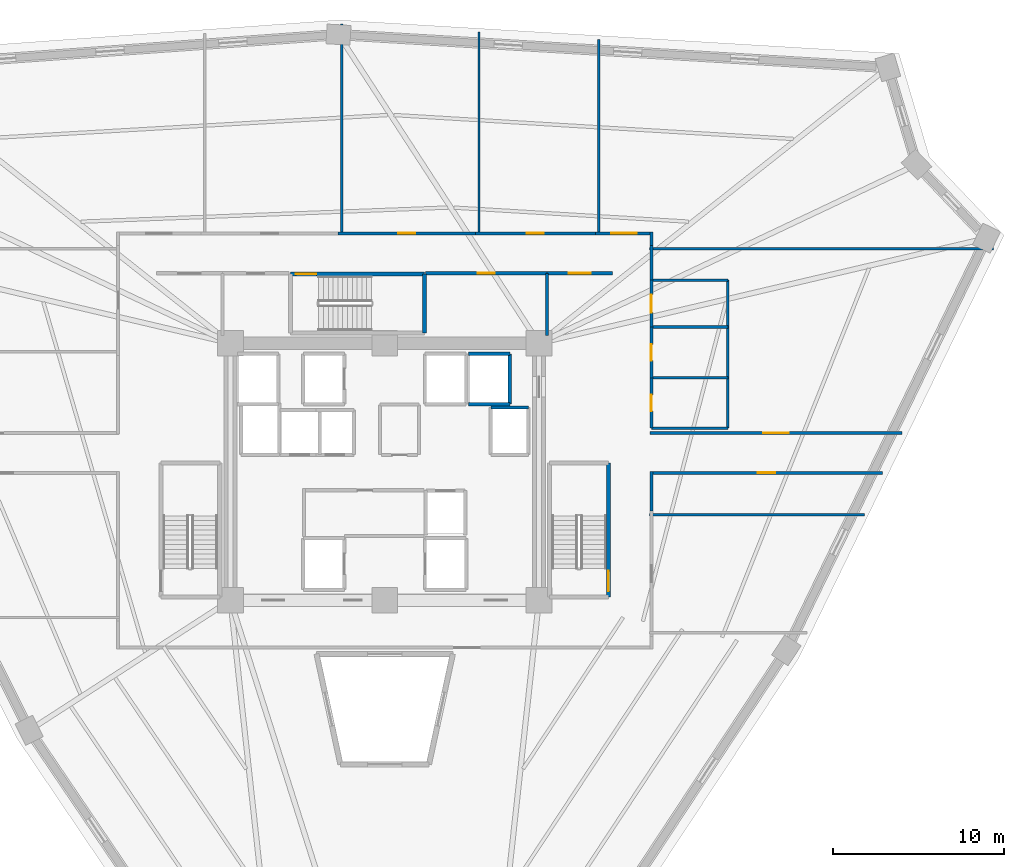
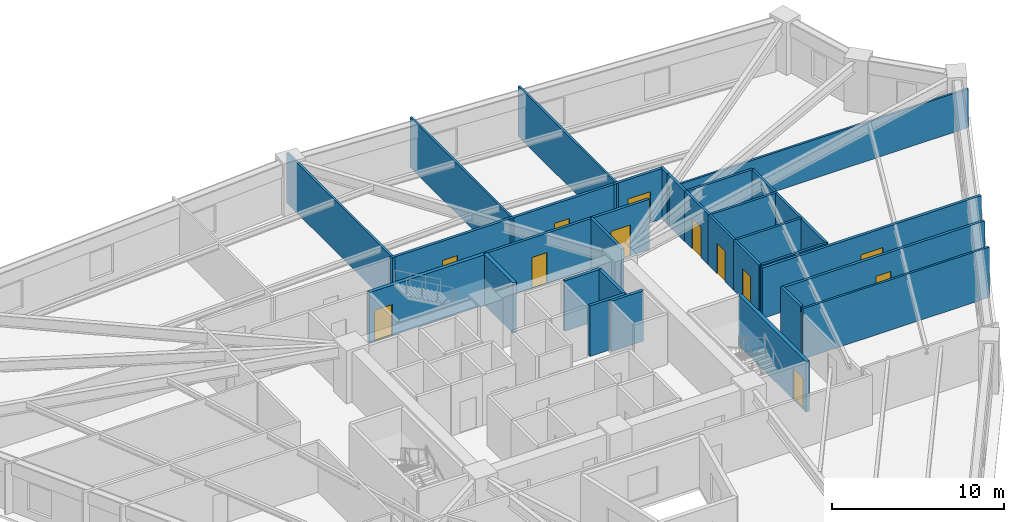
# One storey, part 6 of 8: 31 walls, 12 doors, 12 openings.
"""IFC4 building model written with IfcOpenShell, lengths in metres."""

from ifc_helpers import new_model, si_unit, direction, frame, frame_2d, origin, place, context, subcontext, project, spatial, rectangle, extrude, source, transform, mapped, material, layer, layer_set, type_object, element, fill, save


model = new_model("IFC4")

# Units and contexts
model_context = context("Model", 3, precision=1e-05, world=origin(), true_north=direction((0.0, 1.0)))
body_context = subcontext(model_context, "Body", "Model", "MODEL_VIEW")
ifc_project = project(units=[si_unit("LENGTHUNIT", "METRE"), si_unit("AREAUNIT", "SQUARE_METRE"), si_unit("VOLUMEUNIT", "CUBIC_METRE"), si_unit("PLANEANGLEUNIT", "RADIAN"), si_unit("MASSUNIT", "GRAM", prefix="KILO")], contexts=[model_context])

# Site, building, storey
site_placement = place(None, origin())
site = spatial("IfcSite", under=ifc_project, at=site_placement, CompositionType="ELEMENT")
building_placement = place(site_placement, origin())
building = spatial("IfcBuilding", under=site, at=building_placement, Name="Liaohun Quay Tower", CompositionType="ELEMENT")
storey_placement = place(building_placement, frame((0.0, 0.0, 155.25)))
storey = spatial("IfcBuildingStorey", under=building, at=storey_placement, Name="L40", CompositionType="ELEMENT", Elevation=155.25)

# Wall, opening, door
ifc_material_1 = material(Name="Autoclaved aerated concrete blockwork", Category="masonry")
ifc_layer_1 = layer(ifc_material_1, 0.179931640625, Name="Autoclaved aerated concrete blockwork", Category="masonry")
ifc_layer_set_1 = layer_set([ifc_layer_1], Name="Autoclaved aerated concrete blockwork")
wall_type_1 = type_object("IfcWallType", Name="WAL-PRT-COR", PredefinedType="PARTITIONING", material=ifc_layer_set_1)
wall_1_placement = place(storey_placement, frame((62.389892578125, 65.580078125, 0.0), z_axis=(0.0, 0.0, 1.0), x_axis=(1.0, 0.0, 0.0)))
wall_1 = element("IfcWall", 1, at=wall_1_placement, inside=storey, type_object=wall_type_1, Name="L40 Interior Partition Wall 007", PredefinedType="PARTITIONING", context=body_context, shape_type="SweptSolid", body=[
    extrude(rectangle(XDim=7.070068359375, YDim=0.179931640625, at=frame_2d((3.53515625, 0.0))), origin(), (0.0, 0.0, 1.0), 3.570068359375),
])
shared_shape_1 = source(origin(), body_context, "Body", "SweptSolid", [
    extrude(rectangle(XDim=1.0, YDim=2.199951171875, at=frame_2d((0.5, 1.10009765625))), frame((0.0, 0.099853515625, 0.0), z_axis=(0.0, -1.0, 0.0), x_axis=(1.0, 0.0, 0.0)), (0.0, 0.0, 1.0), 0.199951171875),
])
opening_1_placement = place(wall_1_placement, frame((3.034912109375, 0.0, 0.0)))
opening_1 = element("IfcOpeningElement", 2, at=opening_1_placement, cuts=wall_1, Name="Opening OD1", PredefinedType="OPENING", context=body_context, shape_type="MappedRepresentation", body=[
    mapped(shared_shape_1, transform((0.0, 0.0, 0.0), x_axis=(1.0, 0.0, 0.0), y_axis=(0.0, 1.0, 0.0), z_axis=(0.0, 0.0, 1.0), scale=1.0)),
])
ifc_material_2 = material(Name="Solid-core oak veneer timber leaf in steel frame", Category="steel")
door_type_1 = type_object("IfcDoorType", Name="DOR-OFF-1000", OperationType="NOTDEFINED", PredefinedType="DOOR", material=ifc_material_2)
shared_shape_2 = source(origin(), body_context, "Body", "SweptSolid", [
    extrude(rectangle(XDim=1.0, YDim=2.199951171875, at=frame_2d((0.5, 1.10009765625))), frame((0.0, 0.02490234375, 0.0), z_axis=(0.0, -1.0, 0.0), x_axis=(1.0, 0.0, 0.0)), (0.0, 0.0, 1.0), 0.050048828125),
])
door_1_placement = place(opening_1_placement, origin())
door_1 = element("IfcDoor", 3, at=door_1_placement, inside=storey, type_object=door_type_1, Name="L40 North-East Archive and Mail Room Door", OperationType="SINGLE_SWING_LEFT", OverallHeight=2.199951171875, OverallWidth=1.0, PredefinedType="DOOR", context=body_context, shape_type="MappedRepresentation", body=[
    mapped(shared_shape_2, transform((0.0, 0.0, 0.0), x_axis=(1.0, 0.0, 0.0), y_axis=(0.0, 1.0, 0.0), z_axis=(0.0, 0.0, 1.0), scale=1.0)),
])
fill(opening_1, door_1)

wall_2_placement = place(storey_placement, frame((69.4599609375, 65.580078125, 0.0), z_axis=(0.0, 0.0, 1.0), x_axis=(1.0, 0.0, 0.0)))
wall_2 = element("IfcWall", 4, at=wall_2_placement, inside=storey, type_object=wall_type_1, Name="L40 Interior Partition Wall 009", PredefinedType="PARTITIONING", context=body_context, shape_type="SweptSolid", body=[
    extrude(rectangle(XDim=3.840087890625, YDim=0.179931640625, at=frame_2d((1.919921875, 0.0))), origin(), (0.0, 0.0, 1.0), 3.570068359375),
])
shared_shape_3 = source(origin(), body_context, "Body", "SweptSolid", [
    extrude(rectangle(XDim=1.300048828125, YDim=2.199951171875, at=frame_2d((0.64990234375, 1.10009765625))), frame((0.0, 0.099853515625, 0.0), z_axis=(0.0, -1.0, 0.0), x_axis=(1.0, 0.0, 0.0)), (0.0, 0.0, 1.0), 0.199951171875),
])
opening_2_placement = place(wall_2_placement, frame((1.27001953125, 0.0, 0.0)))
opening_2 = element("IfcOpeningElement", 5, at=opening_2_placement, cuts=wall_2, Name="Opening FD1", PredefinedType="OPENING", context=body_context, shape_type="MappedRepresentation", body=[
    mapped(shared_shape_3, transform((0.0, 0.0, 0.0), x_axis=(1.0, 0.0, 0.0), y_axis=(0.0, 1.0, 0.0), z_axis=(0.0, 0.0, 1.0), scale=1.0)),
])
ifc_material_3 = material(Name="Galvanised steel smokeproof fire door", Category="steel")
door_type_2 = type_object("IfcDoorType", Name="DOR-FFL-1300", OperationType="NOTDEFINED", PredefinedType="DOOR", material=ifc_material_3)
shared_shape_4 = source(origin(), body_context, "Body", "SweptSolid", [
    extrude(rectangle(XDim=1.300048828125, YDim=2.199951171875, at=frame_2d((0.64990234375, 1.10009765625))), frame((0.0, 0.02490234375, 0.0), z_axis=(0.0, -1.0, 0.0), x_axis=(1.0, 0.0, 0.0)), (0.0, 0.0, 1.0), 0.050048828125),
])
door_2_placement = place(opening_2_placement, origin())
door_2 = element("IfcDoor", 6, at=door_2_placement, inside=storey, type_object=door_type_2, Name="L40 East Core Vestibule Door", OperationType="SINGLE_SWING_LEFT", OverallHeight=2.199951171875, OverallWidth=1.300048828125, PredefinedType="DOOR", context=body_context, shape_type="MappedRepresentation", body=[
    mapped(shared_shape_4, transform((0.0, 0.0, 0.0), x_axis=(1.0, 0.0, 0.0), y_axis=(0.0, 1.0, 0.0), z_axis=(0.0, 0.0, 1.0), scale=1.0)),
])
fill(opening_2, door_2)

wall_3_placement = place(storey_placement, frame((75.489990234375, 56.260009765625, 0.0), z_axis=(0.0, 0.0, 1.0), x_axis=(1.0, 0.0, 0.0)))
wall_3 = element("IfcWall", 7, at=wall_3_placement, inside=storey, type_object=wall_type_1, Name="L40 Interior Partition Wall 010", PredefinedType="PARTITIONING", context=body_context, shape_type="SweptSolid", body=[
    extrude(rectangle(XDim=14.694091796875, YDim=0.179931640625, at=frame_2d((7.34716796875, 0.0))), origin(), (0.0, 0.0, 1.0), 3.570068359375),
])
shared_shape_5 = source(origin(), body_context, "Body", "SweptSolid", [
    extrude(rectangle(XDim=1.5, YDim=2.199951171875, at=frame_2d((0.75, 1.10009765625))), frame((0.0, 0.099853515625, 0.0), z_axis=(0.0, -1.0, 0.0), x_axis=(1.0, 0.0, 0.0)), (0.0, 0.0, 1.0), 0.199951171875),
])
opening_3_placement = place(wall_3_placement, frame((6.596923828125, 0.0, 0.0)))
opening_3 = element("IfcOpeningElement", 8, at=opening_3_placement, cuts=wall_3, Name="Opening OD2", PredefinedType="OPENING", context=body_context, shape_type="MappedRepresentation", body=[
    mapped(shared_shape_5, transform((0.0, 0.0, 0.0), x_axis=(1.0, 0.0, 0.0), y_axis=(0.0, 1.0, 0.0), z_axis=(0.0, 0.0, 1.0), scale=1.0)),
])
ifc_material_4 = material(Name="Acoustic oak veneer double door")
door_type_3 = type_object("IfcDoorType", Name="DOR-OFF-1500", OperationType="DOUBLE_DOOR_SINGLE_SWING", PredefinedType="DOOR", material=ifc_material_4)
shared_shape_6 = source(origin(), body_context, "Body", "SweptSolid", [
    extrude(rectangle(XDim=1.5, YDim=2.199951171875, at=frame_2d((0.75, 1.10009765625))), frame((0.0, 0.02490234375, 0.0), z_axis=(0.0, -1.0, 0.0), x_axis=(1.0, 0.0, 0.0)), (0.0, 0.0, 1.0), 0.050048828125),
])
door_3_placement = place(opening_3_placement, origin())
door_3 = element("IfcDoor", 9, at=door_3_placement, inside=storey, type_object=door_type_3, Name="L40 Technical Reference Library 01 Door", OperationType="DOUBLE_DOOR_SINGLE_SWING", OverallHeight=2.199951171875, OverallWidth=1.5, PredefinedType="DOOR", context=body_context, shape_type="MappedRepresentation", body=[
    mapped(shared_shape_6, transform((0.0, 0.0, 0.0), x_axis=(1.0, 0.0, 0.0), y_axis=(0.0, 1.0, 0.0), z_axis=(0.0, 0.0, 1.0), scale=1.0)),
])
fill(opening_3, door_3)

wall_4_placement = place(storey_placement, frame((72.284912109375, 67.909912109375, 0.0), z_axis=(0.0, 0.0, 1.0), x_axis=(1.0, 0.0, 0.0)))
wall_4 = element("IfcWall", 10, at=wall_4_placement, inside=storey, type_object=wall_type_1, Name="L40 Interior Partition Wall 011", PredefinedType="PARTITIONING", context=body_context, shape_type="SweptSolid", body=[
    extrude(rectangle(XDim=3.344970703125, YDim=0.179931640625, at=frame_2d((1.67236328125, 0.0))), origin(), (0.0, 0.0, 1.0), 3.570068359375),
])
opening_4_placement = place(wall_4_placement, frame((0.922119140625, 0.0, 0.0)))
opening_4 = element("IfcOpeningElement", 11, at=opening_4_placement, cuts=wall_4, Name="Opening OD2", PredefinedType="OPENING", context=body_context, shape_type="MappedRepresentation", body=[
    mapped(shared_shape_5, transform((0.0, 0.0, 0.0), x_axis=(1.0, 0.0, 0.0), y_axis=(0.0, 1.0, 0.0), z_axis=(0.0, 0.0, 1.0), scale=1.0)),
])
door_4_placement = place(opening_4_placement, origin())
door_4 = element("IfcDoor", 12, at=door_4_placement, inside=storey, type_object=door_type_3, Name="L40 Client Collaboration Lounge 02 Door", OperationType="DOUBLE_DOOR_SINGLE_SWING", OverallHeight=2.199951171875, OverallWidth=1.5, PredefinedType="DOOR", context=body_context, shape_type="MappedRepresentation", body=[
    mapped(shared_shape_6, transform((0.0, 0.0, 0.0), x_axis=(1.0, 0.0, 0.0), y_axis=(0.0, 1.0, 0.0), z_axis=(0.0, 0.0, 1.0), scale=1.0)),
])
fill(opening_4, door_4)

wall_5_placement = place(storey_placement, frame((65.284912109375, 67.909912109375, 0.0), z_axis=(0.0, 0.0, 1.0), x_axis=(1.0, 0.0, 0.0)))
wall_5 = element("IfcWall", 13, at=wall_5_placement, inside=storey, type_object=wall_type_1, Name="L40 Interior Partition Wall 012", PredefinedType="PARTITIONING", context=body_context, shape_type="SweptSolid", body=[
    extrude(rectangle(XDim=7.0, YDim=0.179931640625, at=frame_2d((3.5, 0.0))), origin(), (0.0, 0.0, 1.0), 3.570068359375),
])
opening_5_placement = place(wall_5_placement, frame((3.0, 0.0, 0.0)))
opening_5 = element("IfcOpeningElement", 14, at=opening_5_placement, cuts=wall_5, Name="Opening OD1", PredefinedType="OPENING", context=body_context, shape_type="MappedRepresentation", body=[
    mapped(shared_shape_1, transform((0.0, 0.0, 0.0), x_axis=(1.0, 0.0, 0.0), y_axis=(0.0, 1.0, 0.0), z_axis=(0.0, 0.0, 1.0), scale=1.0)),
])
door_5_placement = place(opening_5_placement, origin())
door_5 = element("IfcDoor", 15, at=door_5_placement, inside=storey, type_object=door_type_1, Name="L40 Technical Reference Library 03 Door", OperationType="SINGLE_SWING_RIGHT", OverallHeight=2.199951171875, OverallWidth=1.0, PredefinedType="DOOR", context=body_context, shape_type="MappedRepresentation", body=[
    mapped(shared_shape_2, transform((0.0, 0.0, 0.0), x_axis=(1.0, 0.0, 0.0), y_axis=(0.0, 1.0, 0.0), z_axis=(0.0, 0.0, 1.0), scale=1.0)),
])
fill(opening_5, door_5)

wall_6_placement = place(storey_placement, frame((57.284912109375, 67.909912109375, 0.0), z_axis=(0.0, 0.0, 1.0), x_axis=(1.0, 0.0, 0.0)))
wall_6 = element("IfcWall", 16, at=wall_6_placement, inside=storey, type_object=wall_type_1, Name="L40 Interior Partition Wall 013", PredefinedType="PARTITIONING", context=body_context, shape_type="SweptSolid", body=[
    extrude(rectangle(XDim=8.0, YDim=0.179931640625, at=frame_2d((4.0, 0.0))), origin(), (0.0, 0.0, 1.0), 3.570068359375),
])
opening_6_placement = place(wall_6_placement, frame((3.5, 0.0, 0.0)))
opening_6 = element("IfcOpeningElement", 17, at=opening_6_placement, cuts=wall_6, Name="Opening OD1", PredefinedType="OPENING", context=body_context, shape_type="MappedRepresentation", body=[
    mapped(shared_shape_1, transform((0.0, 0.0, 0.0), x_axis=(1.0, 0.0, 0.0), y_axis=(0.0, 1.0, 0.0), z_axis=(0.0, 0.0, 1.0), scale=1.0)),
])
door_6_placement = place(opening_6_placement, origin())
door_6 = element("IfcDoor", 18, at=door_6_placement, inside=storey, type_object=door_type_1, Name="L40 Project Collaboration Studio 04 Door", OperationType="SINGLE_SWING_LEFT", OverallHeight=2.199951171875, OverallWidth=1.0, PredefinedType="DOOR", context=body_context, shape_type="MappedRepresentation", body=[
    mapped(shared_shape_2, transform((0.0, 0.0, 0.0), x_axis=(1.0, 0.0, 0.0), y_axis=(0.0, 1.0, 0.0), z_axis=(0.0, 0.0, 1.0), scale=1.0)),
])
fill(opening_6, door_6)

wall_7_placement = place(storey_placement, frame((89.05810546875, 53.93994140625, 0.0), z_axis=(0.0, 0.0, 1.0), x_axis=(-1.0, 0.0, 0.0)))
wall_7 = element("IfcWall", 19, at=wall_7_placement, inside=storey, type_object=wall_type_1, Name="L40 Interior Partition Wall 021", PredefinedType="PARTITIONING", context=body_context, shape_type="SweptSolid", body=[
    extrude(rectangle(XDim=13.568115234375, YDim=0.179931640625, at=frame_2d((6.7841796875, 0.0))), origin(), (0.0, 0.0, 1.0), 3.570068359375),
])
opening_7_placement = place(wall_7_placement, frame((6.283935546875, 0.0, 0.0)))
opening_7 = element("IfcOpeningElement", 20, at=opening_7_placement, cuts=wall_7, Name="Opening OD1", PredefinedType="OPENING", context=body_context, shape_type="MappedRepresentation", body=[
    mapped(shared_shape_1, transform((0.0, 0.0, 0.0), x_axis=(1.0, 0.0, 0.0), y_axis=(0.0, 1.0, 0.0), z_axis=(0.0, 0.0, 1.0), scale=1.0)),
])
door_7_placement = place(opening_7_placement, origin())
door_7 = element("IfcDoor", 21, at=door_7_placement, inside=storey, type_object=door_type_1, Name="L40 Client Reception Office 12 Door", OperationType="SINGLE_SWING_LEFT", OverallHeight=2.199951171875, OverallWidth=1.0, PredefinedType="DOOR", context=body_context, shape_type="MappedRepresentation", body=[
    mapped(shared_shape_2, transform((0.0, 0.0, 0.0), x_axis=(1.0, 0.0, 0.0), y_axis=(0.0, 1.0, 0.0), z_axis=(0.0, 0.0, 1.0), scale=1.0)),
])
fill(opening_7, door_7)

# Walls
wall_8_placement = place(storey_placement, frame((69.4599609375, 61.949951171875, 0.0), z_axis=(0.0, 0.0, 1.0), x_axis=(0.0, 1.0, 0.0)))
element("IfcWall", 22, at=wall_8_placement, inside=storey, type_object=wall_type_1, Name="L40 Interior Partition Wall 031", PredefinedType="PARTITIONING", context=body_context, shape_type="SweptSolid", body=[
    extrude(rectangle(XDim=3.630126953125, YDim=0.179931640625, at=frame_2d((1.81494140625, 0.0))), origin(), (0.0, 0.0, 1.0), 3.570068359375),
])
wall_9_placement = place(storey_placement, frame((75.56005859375, 67.215087890625, 0.0), z_axis=(0.0, 0.0, 1.0), x_axis=(0.0, -1.0, 0.0)))
element("IfcWall", 23, at=wall_9_placement, inside=storey, type_object=wall_type_1, Name="L40 Interior Partition Wall 032", PredefinedType="PARTITIONING", context=body_context, shape_type="SweptSolid", body=[
    extrude(rectangle(XDim=2.03515625, YDim=0.179931640625, at=frame_2d((1.017578125, 0.0))), origin(), (0.0, 0.0, 1.0), 3.570068359375),
])
wall_10_placement = place(storey_placement, frame((75.56005859375, 67.97998046875, 0.0), z_axis=(0.0, 0.0, 1.0), x_axis=(0.0, -1.0, 0.0)))
element("IfcWall", 24, at=wall_10_placement, inside=storey, type_object=wall_type_1, Name="L40 Interior Partition Wall 033", PredefinedType="PARTITIONING", context=body_context, shape_type="SweptSolid", body=[
    extrude(rectangle(XDim=0.764892578125, YDim=0.179931640625, at=frame_2d((0.38232421875, 0.0))), origin(), (0.0, 0.0, 1.0), 3.570068359375),
])
wall_11_placement = place(storey_placement, frame((75.56005859375, 54.010009765625, 0.0), z_axis=(0.0, 0.0, 1.0), x_axis=(0.0, -1.0, 0.0)))
element("IfcWall", 25, at=wall_11_placement, inside=storey, type_object=wall_type_1, Name="L40 Interior Partition Wall 039", PredefinedType="PARTITIONING", context=body_context, shape_type="SweptSolid", body=[
    extrude(rectangle(XDim=2.294921875, YDim=0.179931640625, at=frame_2d((1.1474609375, 0.0))), origin(), (0.0, 0.0, 1.0), 3.570068359375),
])
ifc_material_5 = material(Name="Gypsum board on twin steel studs", Category="steel")
ifc_layer_2 = layer(ifc_material_5, 0.139892578125, Name="Gypsum board on twin steel studs", Category="steel")
ifc_layer_set_2 = layer_set([ifc_layer_2], Name="Gypsum board on twin steel studs")
wall_type_2 = type_object("IfcWallType", Name="WAL-PRT-OFF", PredefinedType="PARTITIONING", material=ifc_layer_set_2)
wall_12_placement = place(storey_placement, frame((75.4599609375, 51.5, 0.0), z_axis=(0.0, 0.0, 1.0), x_axis=(1.0, 0.0, 0.0)))
element("IfcWall", 26, at=wall_12_placement, inside=storey, type_object=wall_type_2, Name="L40 Interior Partition Wall 044", PredefinedType="PARTITIONING", context=body_context, shape_type="SweptSolid", body=[
    extrude(rectangle(XDim=12.52099609375, YDim=0.139892578125, at=frame_2d((6.260498046875, 0.0))), origin(), (0.0, 0.0, 1.0), 3.570068359375),
])
wall_13_placement = place(storey_placement, frame((75.4599609375, 67.0, 0.0), z_axis=(0.0, 0.0, 1.0), x_axis=(1.0, 0.0, 0.0)))
element("IfcWall", 27, at=wall_13_placement, inside=storey, type_object=wall_type_2, Name="L40 Interior Partition Wall 045", PredefinedType="PARTITIONING", context=body_context, shape_type="SweptSolid", body=[
    extrude(rectangle(XDim=20.046142578125, YDim=0.139892578125, at=frame_2d((10.02294921875, 0.0))), origin(), (0.0, 0.0, 1.0), 2.7548828125),
])
wall_14_placement = place(storey_placement, frame((57.5, 67.81005859375, 0.0), z_axis=(0.0, 0.0, 1.0), x_axis=(0.0, 1.0, 0.0)))
element("IfcWall", 28, at=wall_14_placement, inside=storey, type_object=wall_type_2, Name="L40 Interior Partition Wall 047", PredefinedType="PARTITIONING", context=body_context, shape_type="SweptSolid", body=[
    extrude(rectangle(XDim=12.31494140625, YDim=0.139892578125, at=frame_2d((6.157470703125, 0.0))), origin(), (0.0, 0.0, 1.0), 3.570068359375),
])
wall_15_placement = place(storey_placement, frame((65.5, 67.81005859375, 0.0), z_axis=(0.0, 0.0, 1.0), x_axis=(0.0, 1.0, 0.0)))
element("IfcWall", 29, at=wall_15_placement, inside=storey, type_object=wall_type_2, Name="L40 Interior Partition Wall 048", PredefinedType="PARTITIONING", context=body_context, shape_type="SweptSolid", body=[
    extrude(rectangle(XDim=11.8349609375, YDim=0.139892578125, at=frame_2d((5.91748046875, 0.0))), origin(), (0.0, 0.0, 1.0), 3.570068359375),
])
wall_16_placement = place(storey_placement, frame((72.5, 67.81005859375, 0.0), z_axis=(0.0, 0.0, 1.0), x_axis=(0.0, 1.0, 0.0)))
element("IfcWall", 30, at=wall_16_placement, inside=storey, type_object=wall_type_2, Name="L40 Interior Partition Wall 049", PredefinedType="PARTITIONING", context=body_context, shape_type="SweptSolid", body=[
    extrude(rectangle(XDim=11.416015625, YDim=0.139892578125, at=frame_2d((5.7080078125, 0.0))), origin(), (0.0, 0.0, 1.0), 3.570068359375),
])

# Wall, opening, door
ifc_material_6 = material(Name="Moisture-resistant masonry blockwork", Category="masonry")
ifc_layer_3 = layer(ifc_material_6, 0.159912109375, Name="Moisture-resistant masonry blockwork", Category="masonry")
ifc_layer_set_3 = layer_set([ifc_layer_3], Name="Moisture-resistant masonry blockwork")
wall_type_3 = type_object("IfcWallType", Name="WAL-PRT-WET", PredefinedType="PARTITIONING", material=ifc_layer_set_3)
wall_17_placement = place(storey_placement, frame((75.56005859375, 56.5400390625, 0.0), z_axis=(0.0, 0.0, 1.0), x_axis=(0.0, 1.0, 0.0)))
wall_17 = element("IfcWall", 31, at=wall_17_placement, inside=storey, type_object=wall_type_3, Name="L40 Interior Partition Wall 003", PredefinedType="PARTITIONING", context=body_context, shape_type="SweptSolid", body=[
    extrude(rectangle(XDim=2.93994140625, YDim=0.159912109375, at=frame_2d((1.469970703125, 0.0))), origin(), (0.0, 0.0, 1.0), 3.570068359375),
])
shared_shape_7 = source(origin(), body_context, "Body", "SweptSolid", [
    extrude(rectangle(XDim=0.949951171875, YDim=2.14990234375, at=frame_2d((0.47509765625, 1.074951171875))), frame((0.0, 0.08984375, 0.0), z_axis=(0.0, -1.0, 0.0), x_axis=(1.0, 0.0, 0.0)), (0.0, 0.0, 1.0), 0.179931640625),
])
opening_8_placement = place(wall_17_placement, frame((0.9951171875, 0.0, 0.0)))
opening_8 = element("IfcOpeningElement", 32, at=opening_8_placement, cuts=wall_17, Name="Opening WD1", PredefinedType="OPENING", context=body_context, shape_type="MappedRepresentation", body=[
    mapped(shared_shape_7, transform((0.0, 0.0, 0.0), x_axis=(1.0, 0.0, 0.0), y_axis=(0.0, 1.0, 0.0), z_axis=(0.0, 0.0, 1.0), scale=1.0)),
])
ifc_material_7 = material(Name="Moisture-resistant laminate timber leaf", Category="wood")
door_type_4 = type_object("IfcDoorType", Name="DOR-WC-950", OperationType="NOTDEFINED", PredefinedType="DOOR", material=ifc_material_7)
shared_shape_8 = source(origin(), body_context, "Body", "SweptSolid", [
    extrude(rectangle(XDim=0.949951171875, YDim=2.14990234375, at=frame_2d((0.47509765625, 1.074951171875))), frame((0.0, 0.02490234375, 0.0), z_axis=(0.0, -1.0, 0.0), x_axis=(1.0, 0.0, 0.0)), (0.0, 0.0, 1.0), 0.050048828125),
])
door_8_placement = place(opening_8_placement, origin())
door_8 = element("IfcDoor", 33, at=door_8_placement, inside=storey, type_object=door_type_4, Name="L40 Male Restroom WC Door", OperationType="SINGLE_SWING_LEFT", OverallHeight=2.14990234375, OverallWidth=0.949951171875, PredefinedType="DOOR", context=body_context, shape_type="MappedRepresentation", body=[
    mapped(shared_shape_8, transform((0.0, 0.0, 0.0), x_axis=(1.0, 0.0, 0.0), y_axis=(0.0, 1.0, 0.0), z_axis=(0.0, 0.0, 1.0), scale=1.0)),
])
fill(opening_8, door_8)

wall_18_placement = place(storey_placement, frame((75.56005859375, 59.47998046875, 0.0), z_axis=(0.0, 0.0, 1.0), x_axis=(0.0, 1.0, 0.0)))
wall_18 = element("IfcWall", 34, at=wall_18_placement, inside=storey, type_object=wall_type_3, Name="L40 Interior Partition Wall 004", PredefinedType="PARTITIONING", context=body_context, shape_type="SweptSolid", body=[
    extrude(rectangle(XDim=2.9599609375, YDim=0.159912109375, at=frame_2d((1.47998046875, 0.0))), origin(), (0.0, 0.0, 1.0), 3.570068359375),
])
opening_9_placement = place(wall_18_placement, frame((1.0048828125, 0.0, 0.0)))
opening_9 = element("IfcOpeningElement", 35, at=opening_9_placement, cuts=wall_18, Name="Opening WD1", PredefinedType="OPENING", context=body_context, shape_type="MappedRepresentation", body=[
    mapped(shared_shape_7, transform((0.0, 0.0, 0.0), x_axis=(1.0, 0.0, 0.0), y_axis=(0.0, 1.0, 0.0), z_axis=(0.0, 0.0, 1.0), scale=1.0)),
])
door_9_placement = place(opening_9_placement, origin())
door_9 = element("IfcDoor", 36, at=door_9_placement, inside=storey, type_object=door_type_4, Name="L40 Female Restroom WC Door", OperationType="SINGLE_SWING_RIGHT", OverallHeight=2.14990234375, OverallWidth=0.949951171875, PredefinedType="DOOR", context=body_context, shape_type="MappedRepresentation", body=[
    mapped(shared_shape_8, transform((0.0, 0.0, 0.0), x_axis=(1.0, 0.0, 0.0), y_axis=(0.0, 1.0, 0.0), z_axis=(0.0, 0.0, 1.0), scale=1.0)),
])
fill(opening_9, door_9)

wall_19_placement = place(storey_placement, frame((75.56005859375, 62.43994140625, 0.0), z_axis=(0.0, 0.0, 1.0), x_axis=(0.0, 1.0, 0.0)))
wall_19 = element("IfcWall", 37, at=wall_19_placement, inside=storey, type_object=wall_type_3, Name="L40 Interior Partition Wall 005", PredefinedType="PARTITIONING", context=body_context, shape_type="SweptSolid", body=[
    extrude(rectangle(XDim=2.739990234375, YDim=0.159912109375, at=frame_2d((1.3701171875, 0.0))), origin(), (0.0, 0.0, 1.0), 3.570068359375),
])
shared_shape_9 = source(origin(), body_context, "Body", "SweptSolid", [
    extrude(rectangle(XDim=1.050048828125, YDim=2.14990234375, at=frame_2d((0.52490234375, 1.074951171875))), frame((0.0, 0.08984375, 0.0), z_axis=(0.0, -1.0, 0.0), x_axis=(1.0, 0.0, 0.0)), (0.0, 0.0, 1.0), 0.179931640625),
])
opening_10_placement = place(wall_19_placement, frame((0.844970703125, 0.0, 0.0)))
opening_10 = element("IfcOpeningElement", 38, at=opening_10_placement, cuts=wall_19, Name="Opening WD2", PredefinedType="OPENING", context=body_context, shape_type="MappedRepresentation", body=[
    mapped(shared_shape_9, transform((0.0, 0.0, 0.0), x_axis=(1.0, 0.0, 0.0), y_axis=(0.0, 1.0, 0.0), z_axis=(0.0, 0.0, 1.0), scale=1.0)),
])
ifc_material_8 = material(Name="Accessible outward-swinging laminate door")
door_type_5 = type_object("IfcDoorType", Name="DOR-AWC-1050", OperationType="NOTDEFINED", PredefinedType="DOOR", material=ifc_material_8)
shared_shape_10 = source(origin(), body_context, "Body", "SweptSolid", [
    extrude(rectangle(XDim=1.050048828125, YDim=2.14990234375, at=frame_2d((0.52490234375, 1.074951171875))), frame((0.0, 0.02490234375, 0.0), z_axis=(0.0, -1.0, 0.0), x_axis=(1.0, 0.0, 0.0)), (0.0, 0.0, 1.0), 0.050048828125),
])
door_10_placement = place(opening_10_placement, origin())
door_10 = element("IfcDoor", 39, at=door_10_placement, inside=storey, type_object=door_type_5, Name="L40 Accessible WC Door", OperationType="SINGLE_SWING_LEFT", OverallHeight=2.14990234375, OverallWidth=1.050048828125, PredefinedType="DOOR", context=body_context, shape_type="MappedRepresentation", body=[
    mapped(shared_shape_10, transform((0.0, 0.0, 0.0), x_axis=(1.0, 0.0, 0.0), y_axis=(0.0, 1.0, 0.0), z_axis=(0.0, 0.0, 1.0), scale=1.0)),
])
fill(opening_10, door_10)

# Walls
wall_20_placement = place(storey_placement, frame((80.02001953125, 56.5400390625, 0.0), z_axis=(0.0, 0.0, 1.0), x_axis=(0.0, 1.0, 0.0)))
element("IfcWall", 40, at=wall_20_placement, inside=storey, type_object=wall_type_3, Name="L40 Interior Partition Wall 025", PredefinedType="PARTITIONING", context=body_context, shape_type="SweptSolid", body=[
    extrude(rectangle(XDim=8.639892578125, YDim=0.159912109375, at=frame_2d((4.31982421875, 0.0))), origin(), (0.0, 0.0, 1.0), 3.570068359375),
])
for number, where, z_axis, x_axis, name in (
    (41, (75.56005859375, 56.5400390625, 0.0), (0.0, 0.0, 1.0), (1.0, 0.0, 0.0), "L40 Interior Partition Wall 026"),
    (42, (75.56005859375, 59.47998046875, 0.0), (0.0, 0.0, 1.0), (1.0, 0.0, 0.0), "L40 Interior Partition Wall 027"),
    (43, (75.56005859375, 62.43994140625, 0.0), (0.0, 0.0, 1.0), (1.0, 0.0, 0.0), "L40 Interior Partition Wall 028"),
    (44, (75.56005859375, 65.179931640625, 0.0), (0.0, 0.0, 1.0), (1.0, 0.0, 0.0), "L40 Interior Partition Wall 029"),
):
    element("IfcWall", number, at=place(storey_placement, frame(where, z_axis=z_axis, x_axis=x_axis)), inside=storey, type_object=wall_type_3, Name=name, PredefinedType="PARTITIONING", context=body_context, shape_type="SweptSolid", body=[
        extrude(rectangle(XDim=4.4599609375, YDim=0.159912109375, at=frame_2d((2.22998046875, 0.0))), origin(), (0.0, 0.0, 1.0), 3.570068359375),
    ])

# Wall, opening, door
ifc_material_9 = material(Name="Concrete C50", Category="concrete")
ifc_layer_4 = layer(ifc_material_9, 0.239990234375, Name="Concrete C50", Category="concrete")
ifc_layer_set_4 = layer_set([ifc_layer_4], Name="Concrete C50")
wall_type_4 = type_object("IfcWallType", Name="WAL-SHF-200", PredefinedType="SOLIDWALL", material=ifc_layer_set_4)
wall_21_placement = place(storey_placement, frame((73.06005859375, 46.699951171875, 0.0), z_axis=(0.0, 0.0, 1.0), x_axis=(0.0, 1.0, 0.0)))
wall_21 = element("IfcWall", 45, at=wall_21_placement, inside=storey, type_object=wall_type_4, Name="L40 Stairwell ST-2 Structural Core Wall E", PredefinedType="SOLIDWALL", context=body_context, shape_type="SweptSolid", body=[
    extrude(rectangle(XDim=7.820068359375, YDim=0.239990234375, at=frame_2d((3.91015625, 0.0))), origin(), (0.0, 0.0, 1.0), 3.570068359375),
])
shared_shape_11 = source(origin(), body_context, "Body", "SweptSolid", [
    extrude(rectangle(XDim=1.199951171875, YDim=2.199951171875, at=frame_2d((0.60009765625, 1.10009765625))), frame((0.0, 0.1298828125, 0.0), z_axis=(0.0, -1.0, 0.0), x_axis=(1.0, 0.0, 0.0)), (0.0, 0.0, 1.0), 0.260009765625),
])
opening_11_placement = place(wall_21_placement, frame((0.320068359375, 0.0, 0.0)))
opening_11 = element("IfcOpeningElement", 46, at=opening_11_placement, cuts=wall_21, Name="Opening SD1", PredefinedType="OPENING", context=body_context, shape_type="MappedRepresentation", body=[
    mapped(shared_shape_11, transform((0.0, 0.0, 0.0), x_axis=(1.0, 0.0, 0.0), y_axis=(0.0, 1.0, 0.0), z_axis=(0.0, 0.0, 1.0), scale=1.0)),
])
ifc_material_10 = material(Name="Galvanised steel fire door", Category="steel")
door_type_6 = type_object("IfcDoorType", Name="DOR-STR-1200", OperationType="NOTDEFINED", PredefinedType="DOOR", material=ifc_material_10)
shared_shape_12 = source(origin(), body_context, "Body", "SweptSolid", [
    extrude(rectangle(XDim=1.199951171875, YDim=2.199951171875, at=frame_2d((0.60009765625, 1.10009765625))), frame((0.0, 0.02490234375, 0.0), z_axis=(0.0, -1.0, 0.0), x_axis=(1.0, 0.0, 0.0)), (0.0, 0.0, 1.0), 0.050048828125),
])
door_11_placement = place(opening_11_placement, origin())
door_11 = element("IfcDoor", 47, at=door_11_placement, inside=storey, type_object=door_type_6, Name="L40 Protected Stair ST-2 Fire Door", OperationType="SINGLE_SWING_RIGHT", OverallHeight=2.199951171875, OverallWidth=1.199951171875, PredefinedType="DOOR", context=body_context, shape_type="MappedRepresentation", body=[
    mapped(shared_shape_12, transform((0.0, 0.0, 0.0), x_axis=(1.0, 0.0, 0.0), y_axis=(0.0, 1.0, 0.0), z_axis=(0.0, 0.0, 1.0), scale=1.0)),
])
fill(opening_11, door_11)

# Wall
wall_22_placement = place(storey_placement, frame((62.320068359375, 62.10009765625, 0.0), z_axis=(0.0, 0.0, 1.0), x_axis=(0.0, 1.0, 0.0)))
element("IfcWall", 48, at=wall_22_placement, inside=storey, type_object=wall_type_4, Name="L40 Stairwell ST-3 Structural Core Wall E", PredefinedType="SOLIDWALL", context=body_context, shape_type="SweptSolid", body=[
    extrude(rectangle(XDim=3.43994140625, YDim=0.239990234375, at=frame_2d((1.719970703125, 0.0))), origin(), (0.0, 0.0, 1.0), 3.570068359375),
])

# Wall, opening, door
wall_23_placement = place(storey_placement, frame((62.320068359375, 65.5400390625, 0.0), z_axis=(0.0, 0.0, 1.0), x_axis=(-1.0, 0.0, 0.0)))
wall_23 = element("IfcWall", 49, at=wall_23_placement, inside=storey, type_object=wall_type_4, Name="L40 Stairwell ST-3 Structural Core Wall N", PredefinedType="SOLIDWALL", context=body_context, shape_type="SweptSolid", body=[
    extrude(rectangle(XDim=7.820068359375, YDim=0.239990234375, at=frame_2d((3.91015625, 0.0))), origin(), (0.0, 0.0, 1.0), 3.570068359375),
])
opening_12_placement = place(wall_23_placement, frame((6.300048828125, 0.0, 0.0)))
opening_12 = element("IfcOpeningElement", 50, at=opening_12_placement, cuts=wall_23, Name="Opening SD1", PredefinedType="OPENING", context=body_context, shape_type="MappedRepresentation", body=[
    mapped(shared_shape_11, transform((0.0, 0.0, 0.0), x_axis=(1.0, 0.0, 0.0), y_axis=(0.0, 1.0, 0.0), z_axis=(0.0, 0.0, 1.0), scale=1.0)),
])
door_12_placement = place(opening_12_placement, origin())
door_12 = element("IfcDoor", 51, at=door_12_placement, inside=storey, type_object=door_type_6, Name="L40 Protected Stair ST-3 Fire Door", OperationType="SINGLE_SWING_RIGHT", OverallHeight=2.199951171875, OverallWidth=1.199951171875, PredefinedType="DOOR", context=body_context, shape_type="MappedRepresentation", body=[
    mapped(shared_shape_12, transform((0.0, 0.0, 0.0), x_axis=(1.0, 0.0, 0.0), y_axis=(0.0, 1.0, 0.0), z_axis=(0.0, 0.0, 1.0), scale=1.0)),
])
fill(opening_12, door_12)

# Walls
wall_24_placement = place(storey_placement, frame((64.89990234375, 57.949951171875, 0.0), z_axis=(0.0, 0.0, 1.0), x_axis=(1.0, 0.0, 0.0)))
element("IfcWall", 52, at=wall_24_placement, inside=storey, type_object=wall_type_4, Name="L40 Lift OB-02 Hoistway Wall S", PredefinedType="SOLIDWALL", context=body_context, shape_type="SweptSolid", body=[
    extrude(rectangle(XDim=2.400146484375, YDim=0.199951171875, at=frame_2d((1.2001953125, 0.0))), origin(), (0.0, 0.0, 1.0), 3.570068359375),
])
wall_25_placement = place(storey_placement, frame((67.300048828125, 57.949951171875, 0.0), z_axis=(0.0, 0.0, 1.0), x_axis=(0.0, 1.0, 0.0)))
element("IfcWall", 53, at=wall_25_placement, inside=storey, type_object=wall_type_4, Name="L40 Lift OB-02 Hoistway Wall E", PredefinedType="SOLIDWALL", context=body_context, shape_type="SweptSolid", body=[
    extrude(rectangle(XDim=2.929931640625, YDim=0.199951171875, at=frame_2d((1.46484375, 0.0))), origin(), (0.0, 0.0, 1.0), 3.570068359375),
])
wall_26_placement = place(storey_placement, frame((67.300048828125, 60.8798828125, 0.0), z_axis=(0.0, 0.0, 1.0), x_axis=(-1.0, 0.0, 0.0)))
element("IfcWall", 54, at=wall_26_placement, inside=storey, type_object=wall_type_4, Name="L40 Lift OB-02 Hoistway Wall N", PredefinedType="SOLIDWALL", context=body_context, shape_type="SweptSolid", body=[
    extrude(rectangle(XDim=2.400146484375, YDim=0.199951171875, at=frame_2d((1.2001953125, 0.0))), origin(), (0.0, 0.0, 1.0), 3.570068359375),
])
wall_27_placement = place(storey_placement, frame((68.3798828125, 57.75, 0.0), z_axis=(0.0, 0.0, 1.0), x_axis=(-1.0, 0.0, 0.0)))
element("IfcWall", 55, at=wall_27_placement, inside=storey, type_object=wall_type_4, Name="L40 Lift SH-03 Hoistway Wall N", PredefinedType="SOLIDWALL", context=body_context, shape_type="SweptSolid", body=[
    extrude(rectangle(XDim=2.179931640625, YDim=0.199951171875, at=frame_2d((1.08984375, 0.0))), origin(), (0.0, 0.0, 1.0), 3.570068359375),
])

save(model, "model.ifc")
